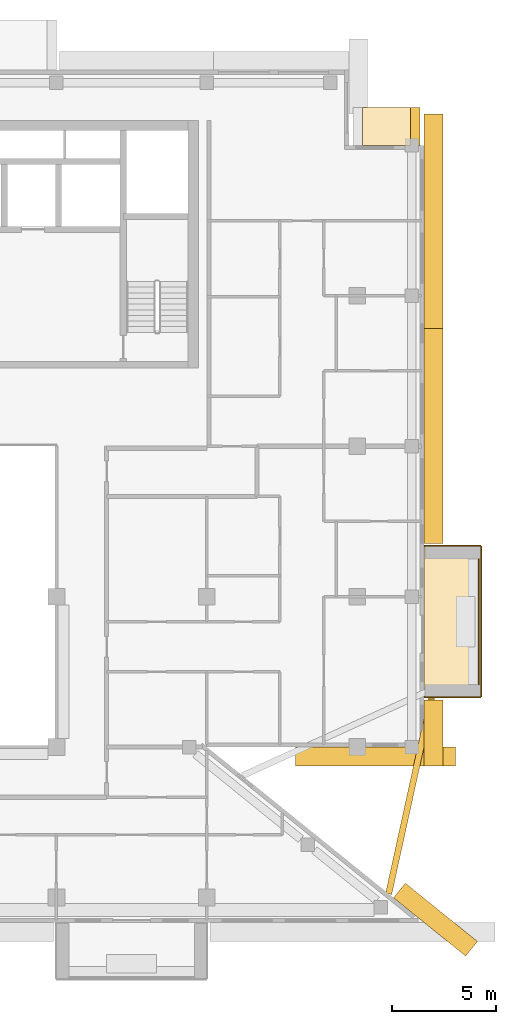
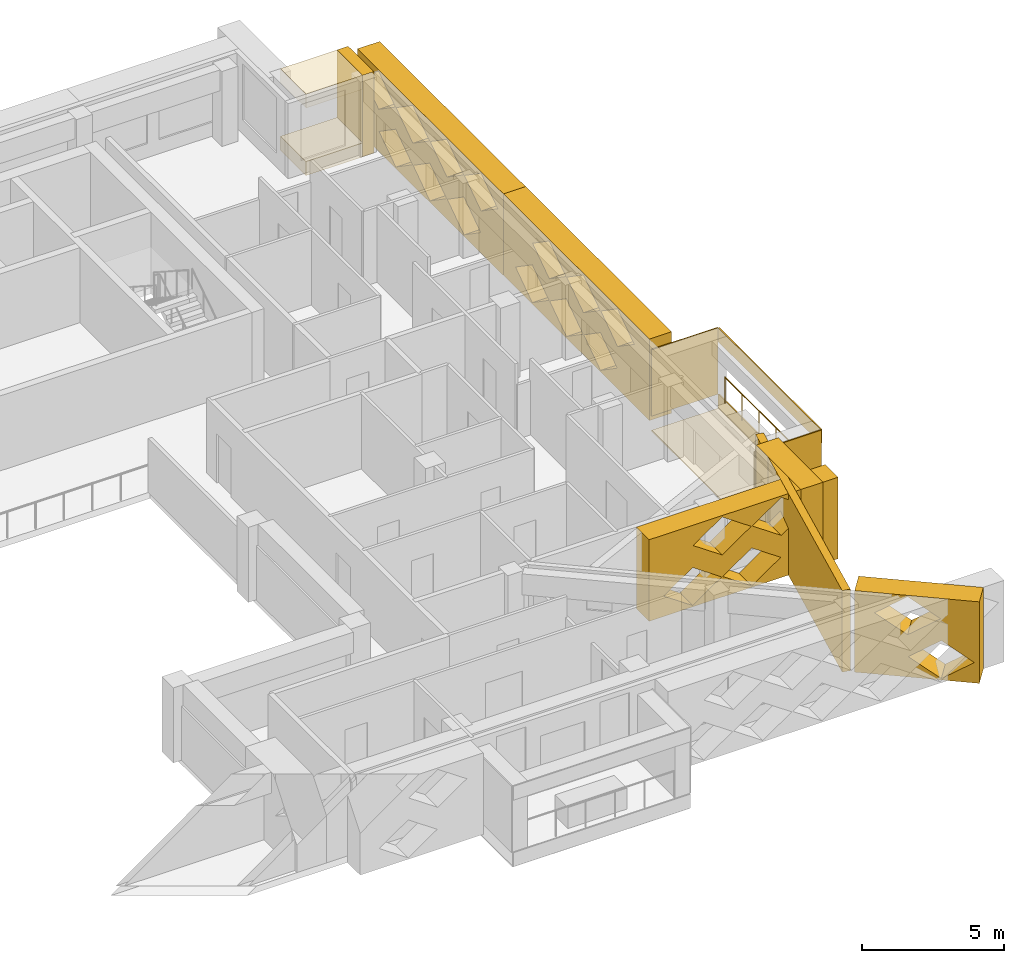
# One storey, part 19 of 19: 14 coverings, 1 railing.
"""IFC4 building model written with IfcOpenShell, lengths in metres."""

from ifc_helpers import new_model, si_unit, direction, frame, origin, origin_2d, place, context, subcontext, project, spatial, polyline, circle, outline, extrude, material, layer, layer_set, type_object, element, save


model = new_model("IFC4")

# Units and contexts
model_context = context("Model", 3, precision=1e-05, world=origin(), true_north=direction((0.0, 1.0)))
body_context = subcontext(model_context, "Body", "Model", "MODEL_VIEW")
ifc_project = project(units=[si_unit("LENGTHUNIT", "METRE"), si_unit("AREAUNIT", "SQUARE_METRE"), si_unit("VOLUMEUNIT", "CUBIC_METRE"), si_unit("PLANEANGLEUNIT", "RADIAN"), si_unit("MASSUNIT", "GRAM", prefix="KILO")], contexts=[model_context])

# Site, building, storey
site_placement = place(None, origin())
site = spatial("IfcSite", under=ifc_project, at=site_placement, CompositionType="ELEMENT")
building_placement = place(site_placement, origin())
building = spatial("IfcBuilding", under=site, at=building_placement, Name="Saffron Iwan Residences", CompositionType="ELEMENT")
storey_placement = place(building_placement, frame((0.0, 0.0, 232.5)))
storey = spatial("IfcBuildingStorey", under=building, at=storey_placement, Name="L62", CompositionType="ELEMENT", Elevation=232.5)

# Railing
ifc_material_1 = material(Name="Stainless steel 316", Category="steel")
railing_type = type_object("IfcRailingType", Name="BALCONY GUARD 1150", PredefinedType="GUARDRAIL", material=ifc_material_1)
railing_placement = place(storey_placement, frame((85.02490234375, 51.0, 0.0)))
element("IfcRailing", 1, at=railing_placement, inside=storey, type_object=railing_type, Name="Balcony guard L62 F2-0", PredefinedType="GUARDRAIL", context=body_context, shape_type="SweptSolid", body=[
    extrude(circle(Radius=0.02392578125, at=origin_2d()), frame((0.0, 0.0, 1.1259765625), z_axis=(0.0, 1.0, 0.0), x_axis=(-1.0, 0.0, 0.0)), (0.0, 0.0, 1.0), 6.0),
    extrude(circle(Radius=0.02099609375, at=origin_2d()), origin(), (0.0, 0.0, 1.0), 1.101806640625),
    extrude(circle(Radius=0.02099609375, at=origin_2d()), frame((0.0, 1.199951171875, 0.0)), (0.0, 0.0, 1.0), 1.101806640625),
    extrude(circle(Radius=0.02099609375, at=origin_2d()), frame((0.0, 2.39990234375, 0.0)), (0.0, 0.0, 1.0), 1.101806640625),
    extrude(circle(Radius=0.02099609375, at=origin_2d()), frame((0.0, 3.60009765625, 0.0)), (0.0, 0.0, 1.0), 1.101806640625),
    extrude(circle(Radius=0.02099609375, at=origin_2d()), frame((0.0, 4.800048828125, 0.0)), (0.0, 0.0, 1.0), 1.101806640625),
    extrude(circle(Radius=0.02099609375, at=origin_2d()), frame((0.0, 6.0, 0.0)), (0.0, 0.0, 1.0), 1.101806640625),
])

# Coverings
ifc_material_2 = material(Name="Precast concrete C40/50 white painted", Category="concrete")
ifc_layer_1 = layer(ifc_material_2, 0.050048828125)
ifc_layer_set_1 = layer_set([ifc_layer_1], Name="Precast concrete C40/50 white painted")
covering_type_1 = type_object("IfcCoveringType", Name="FRAME SKIN PRECAST WHITE 50", PredefinedType="CLADDING", material=ifc_layer_set_1)
for number, where, name in (
    (2, (0.0, 0.0, -0.60009765625), "Frame skin slab edge L62 F2-0"),
    (3, (0.0, 0.0, 2.25), "Frame skin fascia L62 F2-0"),
):
    element("IfcCovering", number, at=place(storey_placement, frame(where)), inside=storey, type_object=covering_type_1, Name=name, PredefinedType="CLADDING", context=body_context, shape_type="SweptSolid", body=[
        extrude(outline(polyline([(85.14990234375, 50.39990234375), (85.14990234375, 57.60009765625), (85.10009765625, 57.60009765625), (85.10009765625, 50.39990234375), (85.14990234375, 50.39990234375)])), origin(), (0.0, 0.0, 1.0), 0.60009765625),
    ])
covering_1_placement = place(storey_placement, frame((0.0, 0.0, -0.64990234375)))
element("IfcCovering", 4, at=covering_1_placement, inside=storey, type_object=covering_type_1, Name="Frame skin soffit L62 F2-0", PredefinedType="CLADDING", context=body_context, shape_type="SweptSolid", body=[
    extrude(outline(polyline([(85.10009765625, 50.39990234375), (85.10009765625, 57.60009765625), (82.39990234375, 57.60009765625), (82.39990234375, 50.39990234375), (85.10009765625, 50.39990234375)])), origin(), (0.0, 0.0, 1.0), 0.0498046875),
])
covering_2_placement = place(storey_placement, origin())
element("IfcCovering", 5, at=covering_2_placement, inside=storey, type_object=covering_type_1, Name="Frame skin fin L62 F2-0a", PredefinedType="CLADDING", context=body_context, shape_type="SweptSolid", body=[
    extrude(outline(polyline([(85.10009765625, 50.35009765625), (85.10009765625, 50.39990234375), (82.39990234375, 50.39990234375), (82.39990234375, 50.35009765625), (85.10009765625, 50.35009765625)])), origin(), (0.0, 0.0, 1.0), 2.85009765625),
])
covering_3_placement = place(storey_placement, origin())
element("IfcCovering", 6, at=covering_3_placement, inside=storey, type_object=covering_type_1, Name="Frame skin fin L62 F2-0b", PredefinedType="CLADDING", context=body_context, shape_type="SweptSolid", body=[
    extrude(outline(polyline([(85.10009765625, 57.60009765625), (85.10009765625, 57.64990234375), (82.39990234375, 57.64990234375), (82.39990234375, 57.60009765625), (85.10009765625, 57.60009765625)])), origin(), (0.0, 0.0, 1.0), 2.85009765625),
])
ifc_material_3 = material(Name="Precast concrete C40/50", Category="concrete")
covering_type_2 = type_object("IfcCoveringType", Name="OUTER SKIN LATTICE SCREEN", PredefinedType="CLADDING", material=ifc_material_3)
covering_4_placement = place(storey_placement, frame((84.387939453125, 37.994384765625, -0.280029296875), z_axis=(0.628558089533, 0.777762642509, 0.0), x_axis=(-0.777762642509, 0.628558089533, 0.0)))
element("IfcCovering", 7, at=covering_4_placement, inside=storey, type_object=covering_type_2, Name="OUTER SKIN lattice screen L62 F0.0", PredefinedType="CLADDING", context=body_context, shape_type="SweptSolid", body=[
    extrude(outline(polyline([(0.0, 0.0), (4.439697265625, 0.0), (4.439697265625, 3.5), (0.0, 3.5), (0.0, 0.0)]), holes=[polyline([(0.175537109375, 0.875), (1.35546875, 0.06005859375), (2.535400390625, 0.875), (1.35546875, 1.68994140625), (0.175537109375, 0.875)]), polyline([(1.37548828125, 2.625), (2.555419921875, 1.81005859375), (3.735595703125, 2.625), (2.555419921875, 3.43994140625), (1.37548828125, 2.625)])]), origin(), (0.0, 0.0, 1.0), 0.89990234375),
])
covering_5_placement = place(storey_placement, frame((76.235595703125, 48.0, -0.280029296875), z_axis=(0.0, -1.0, 0.0), x_axis=(1.0, 0.0, 0.0)))
element("IfcCovering", 8, at=covering_5_placement, inside=storey, type_object=covering_type_2, Name="OUTER SKIN lattice screen L62 F1.0", PredefinedType="CLADDING", context=body_context, shape_type="SweptSolid", body=[
    extrude(outline(polyline([(0.0, 0.0), (7.66455078125, 0.0), (7.66455078125, 3.5), (0.0, 3.5), (0.0, 0.0)]), holes=[polyline([(0.58447265625, 0.875), (1.764404296875, 0.06005859375), (2.944580078125, 0.875), (1.764404296875, 1.68994140625), (0.58447265625, 0.875)]), polyline([(2.984619140625, 0.875), (4.16455078125, 0.06005859375), (5.344482421875, 0.875), (4.16455078125, 1.68994140625), (2.984619140625, 0.875)]), polyline([(1.784423828125, 2.625), (2.964599609375, 1.81005859375), (4.14453125, 2.625), (2.964599609375, 3.43994140625), (1.784423828125, 2.625)]), polyline([(4.1845703125, 2.625), (5.364501953125, 1.81005859375), (6.54443359375, 2.625), (5.364501953125, 3.43994140625), (4.1845703125, 2.625)])]), origin(), (0.0, 0.0, 1.0), 0.89990234375),
])
covering_6_placement = place(storey_placement, frame((82.39990234375, 47.10009765625, -0.280029296875), z_axis=(1.0, 0.0, 0.0), x_axis=(0.0, 1.0, 0.0)))
element("IfcCovering", 9, at=covering_6_placement, inside=storey, type_object=covering_type_2, Name="OUTER SKIN lattice screen L62 F2.0", PredefinedType="CLADDING", context=body_context, shape_type="SweptSolid", body=[
    extrude(outline(polyline([(0.0, 0.0), (3.14990234375, 0.0), (3.14990234375, 3.5), (0.0, 3.5), (0.0, 0.0)])), origin(), (0.0, 0.0, 1.0), 0.900146484375),
])
covering_7_placement = place(storey_placement, frame((82.39990234375, 57.75, -0.280029296875), z_axis=(1.0, 0.0, 0.0), x_axis=(0.0, 1.0, 0.0)))
element("IfcCovering", 10, at=covering_7_placement, inside=storey, type_object=covering_type_2, Name="OUTER SKIN lattice screen L62 F2.1", PredefinedType="CLADDING", context=body_context, shape_type="SweptSolid", body=[
    extrude(outline(polyline([(0.0, 0.0), (10.27490234375, 0.0), (10.27490234375, 3.5), (0.0, 3.5), (0.0, 0.0)]), holes=[polyline([(2.27001953125, 0.875), (3.449951171875, 0.06005859375), (4.6298828125, 0.875), (3.449951171875, 1.68994140625), (2.27001953125, 0.875)]), polyline([(4.669921875, 0.875), (5.85009765625, 0.06005859375), (7.030029296875, 0.875), (5.85009765625, 1.68994140625), (4.669921875, 0.875)]), polyline([(7.070068359375, 0.875), (8.25, 0.06005859375), (9.429931640625, 0.875), (8.25, 1.68994140625), (7.070068359375, 0.875)]), polyline([(1.070068359375, 2.625), (2.25, 1.81005859375), (3.429931640625, 2.625), (2.25, 3.43994140625), (1.070068359375, 2.625)]), polyline([(3.469970703125, 2.625), (4.64990234375, 1.81005859375), (5.830078125, 2.625), (4.64990234375, 3.43994140625), (3.469970703125, 2.625)]), polyline([(5.8701171875, 2.625), (7.050048828125, 1.81005859375), (8.22998046875, 2.625), (7.050048828125, 3.43994140625), (5.8701171875, 2.625)])]), origin(), (0.0, 0.0, 1.0), 0.900146484375),
])
covering_8_placement = place(storey_placement, frame((82.39990234375, 68.02490234375, -0.280029296875), z_axis=(1.0, 0.0, 0.0), x_axis=(0.0, 1.0, 0.0)))
element("IfcCovering", 11, at=covering_8_placement, inside=storey, type_object=covering_type_2, Name="OUTER SKIN lattice screen L62 F2.2", PredefinedType="CLADDING", context=body_context, shape_type="SweptSolid", body=[
    extrude(outline(polyline([(0.0, 0.0), (10.27490234375, 0.0), (10.27490234375, 3.5), (0.0, 3.5), (0.0, 0.0)]), holes=[polyline([(1.594970703125, 0.875), (2.77490234375, 0.06005859375), (3.955078125, 0.875), (2.77490234375, 1.68994140625), (1.594970703125, 0.875)]), polyline([(3.9951171875, 0.875), (5.175048828125, 0.06005859375), (6.35498046875, 0.875), (5.175048828125, 1.68994140625), (3.9951171875, 0.875)]), polyline([(6.39501953125, 0.875), (7.574951171875, 0.06005859375), (8.7548828125, 0.875), (7.574951171875, 1.68994140625), (6.39501953125, 0.875)]), polyline([(0.39501953125, 2.625), (1.574951171875, 1.81005859375), (2.7548828125, 2.625), (1.574951171875, 3.43994140625), (0.39501953125, 2.625)]), polyline([(2.794921875, 2.625), (3.97509765625, 1.81005859375), (5.155029296875, 2.625), (3.97509765625, 3.43994140625), (2.794921875, 2.625)]), polyline([(5.195068359375, 2.625), (6.375, 1.81005859375), (7.554931640625, 2.625), (6.375, 3.43994140625), (5.195068359375, 2.625)]), polyline([(7.594970703125, 2.625), (8.77490234375, 1.81005859375), (9.955078125, 2.625), (8.77490234375, 3.43994140625), (7.594970703125, 2.625)])]), origin(), (0.0, 0.0, 1.0), 0.900146484375),
])
ifc_layer_2 = layer(ifc_material_2, 0.300048828125)
ifc_layer_set_2 = layer_set([ifc_layer_2], Name="Precast concrete C40/50 white painted")
covering_type_3 = type_object("IfcCoveringType", Name="PROW NOSE BLADE PRECAST WHITE", PredefinedType="CLADDING", material=ifc_layer_set_2)
covering_9_placement = place(storey_placement, frame((0.0, 0.0, -0.280029296875)))
element("IfcCovering", 12, at=covering_9_placement, inside=storey, type_object=covering_type_3, Name="Prow nose blade L62 a", PredefinedType="CLADDING", context=body_context, shape_type="SweptSolid", body=[
    extrude(outline(polyline([(80.847412109375, 40.9404296875), (83.001708984375, 50.769287109375), (82.70849609375, 50.83349609375), (80.55419921875, 41.004638671875), (80.847412109375, 40.9404296875)])), origin(), (0.0, 0.0, 1.0), 3.5),
])
covering_type_4 = type_object("IfcCoveringType", Name="WHITE SUN FRAME PRECAST", PredefinedType="CLADDING", material=ifc_material_2)
covering_10_placement = place(storey_placement, frame((82.199951171875, 76.800048828125, -0.280029296875), z_axis=(0.0, 1.0, 0.0), x_axis=(-1.0, 0.0, 0.0)))
element("IfcCovering", 13, at=covering_10_placement, inside=storey, type_object=covering_type_4, Name="Sun frame L62 F3 0.2a", PredefinedType="CLADDING", context=body_context, shape_type="SweptSolid", body=[
    extrude(outline(polyline([(0.0, 0.0), (0.449951171875, 0.0), (0.449951171875, 3.5), (0.0, 3.5), (0.0, 0.0)])), origin(), (0.0, 0.0, 1.0), 1.800048828125),
])
for number, where, z_axis, x_axis, name in (
    (14, (81.75, 76.800048828125, 2.6201171875), (0.0, 1.0, 0.0), (-1.0, 0.0, 0.0), "Sun frame L62 F3 0.2h"),
    (15, (81.75, 76.800048828125, -0.280029296875), (0.0, 1.0, 0.0), (-1.0, 0.0, 0.0), "Sun frame L62 F3 0.2s"),
):
    element("IfcCovering", number, at=place(storey_placement, frame(where, z_axis=z_axis, x_axis=x_axis)), inside=storey, type_object=covering_type_4, Name=name, PredefinedType="CLADDING", context=body_context, shape_type="SweptSolid", body=[
        extrude(outline(polyline([(0.0, 0.0), (2.300048828125, 0.0), (2.300048828125, 0.60009765625), (0.0, 0.60009765625), (0.0, 0.0)])), origin(), (0.0, 0.0, 1.0), 1.800048828125),
    ])

save(model, "model.ifc")
